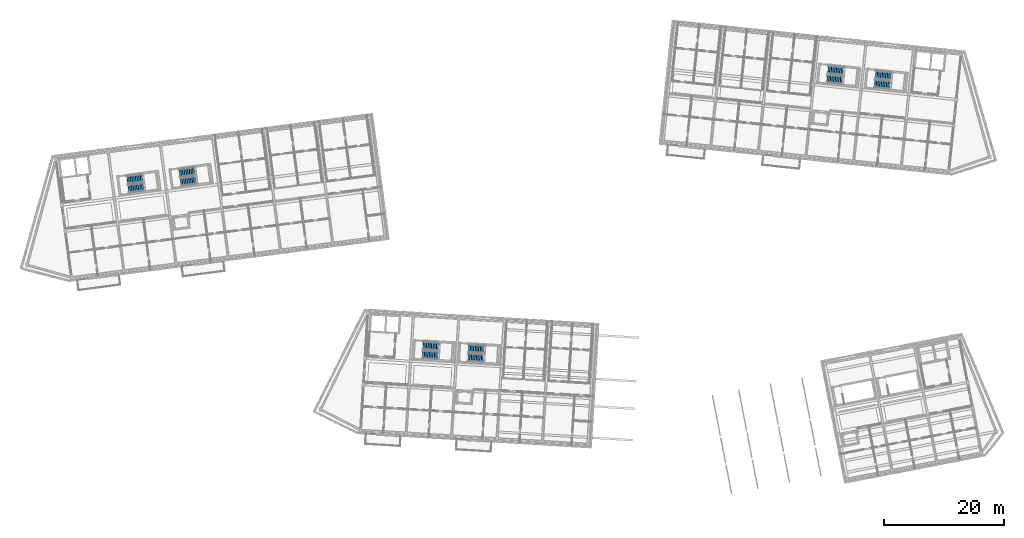
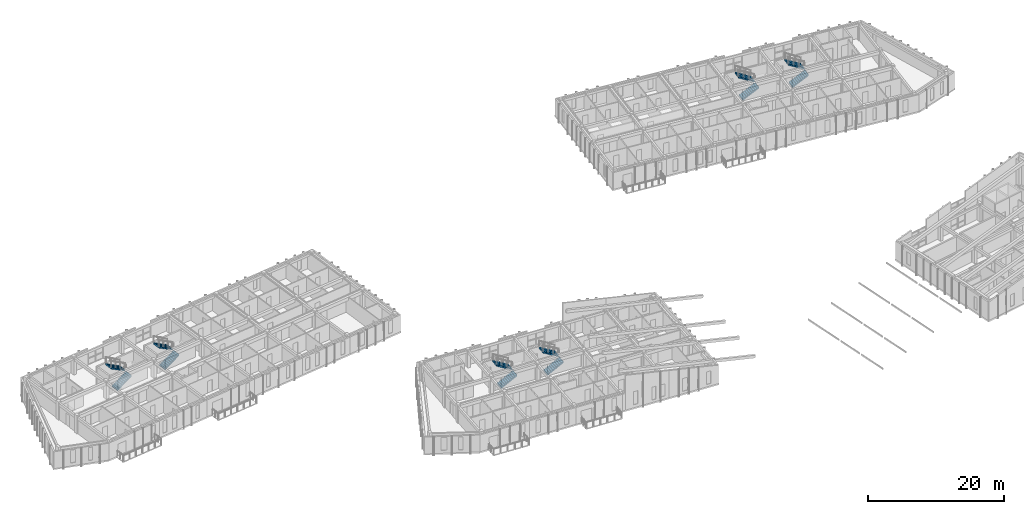
# One storey, part 34 of 56: 12 stair flights, 6 elements without a shape of their own.
"""IFC4 building model written with IfcOpenShell, lengths in metres."""

from ifc_helpers import new_model, si_unit, direction, frame, origin, place, context, subcontext, project, spatial, polyline, outline, extrude, material, type_object, element, aggregate, save


model = new_model("IFC4")

# Units and contexts
model_context = context("Model", 3, precision=1e-05, world=origin(), true_north=direction((0.0, 1.0)))
body_context = subcontext(model_context, "Body", "Model", "MODEL_VIEW")
ifc_project = project(units=[si_unit("LENGTHUNIT", "METRE"), si_unit("AREAUNIT", "SQUARE_METRE"), si_unit("VOLUMEUNIT", "CUBIC_METRE"), si_unit("PLANEANGLEUNIT", "RADIAN"), si_unit("MASSUNIT", "GRAM", prefix="KILO")], contexts=[model_context])

# Site, building, storey
site_placement = place(None, origin())
site = spatial("IfcSite", under=ifc_project, at=site_placement, CompositionType="ELEMENT")
building_placement = place(site_placement, origin())
building = spatial("IfcBuilding", under=site, at=building_placement, Name="Kestramere Prow Commons", CompositionType="ELEMENT")
storey_placement = place(building_placement, frame((0.0, 0.0, 27.89990234375)))
storey = spatial("IfcBuildingStorey", under=building, at=storey_placement, Name="L08", CompositionType="ELEMENT", Elevation=27.89990234375)

# Stair, stair flights
ifc_material = material(Name="Concrete C40/50", Category="concrete")
stair_type = type_object("IfcStairType", Name="ST-DOG-1350", PredefinedType="HALF_TURN_STAIR", material=ifc_material)
stair_1_placement = place(storey_placement, origin())
stair_1 = element("IfcStair", 1, at=stair_1_placement, inside=storey, type_object=stair_type, Name="L08 Block A Exit Stair 1", PredefinedType="HALF_TURN_STAIR")
stair_flight_type = type_object("IfcStairFlightType", Name="SFL-1350", PredefinedType="STRAIGHT", material=ifc_material)
stair_flight_1_placement = place(storey_placement, frame((20.70068359375, 86.79150390625, 0.0), z_axis=(0.0, 0.0, 1.0), x_axis=(0.991444861374, 0.13052619222, 0.0)))
stair_flight_1 = element("IfcStairFlight", 2, at=stair_flight_1_placement, type_object=stair_flight_type, Name="ST-A1 flight 1", NumberOfRisers=10, NumberOfTreads=9, PredefinedType="STRAIGHT", RiserHeight=0.1625, TreadLength=0.28, context=body_context, shape_type="SweptSolid", body=[
    extrude(outline(polyline([(-0.02490234375, 0.0), (0.0, 0.0), (0.0, 0.16259765625), (0.280029296875, 0.16259765625), (0.280029296875, 0.324951171875), (0.56005859375, 0.324951171875), (0.56005859375, 0.487548828125), (0.840087890625, 0.487548828125), (0.840087890625, 0.64990234375), (1.1201171875, 0.64990234375), (1.1201171875, 0.8125), (1.39990234375, 0.8125), (1.39990234375, 0.97509765625), (1.679931640625, 0.97509765625), (1.679931640625, 1.137451171875), (1.9599609375, 1.137451171875), (1.9599609375, 1.300048828125), (2.239990234375, 1.300048828125), (2.239990234375, 1.46240234375), (2.52001953125, 1.46240234375), (2.52001953125, 1.625), (2.544921875, 1.625), (2.544921875, 1.2890625), (0.0, -0.14990234375), (-0.02490234375, -0.14990234375), (-0.02490234375, 0.0)])), frame((0.0, 0.675048828125, 0.0), z_axis=(0.0, -1.0, 0.0), x_axis=(1.0, 0.0, 0.0)), (0.0, 0.0, 1.0), 1.35009765625),
])
stair_flight_2_placement = place(storey_placement, frame((23.003173828125, 88.607666015625, 1.625), z_axis=(0.0, 0.0, 1.0), x_axis=(-0.991444861374, -0.13052619222, 0.0)))
stair_flight_2 = element("IfcStairFlight", 3, at=stair_flight_2_placement, type_object=stair_flight_type, Name="ST-A1 flight 2", NumberOfRisers=10, NumberOfTreads=9, PredefinedType="STRAIGHT", RiserHeight=0.1625, TreadLength=0.28, context=body_context, shape_type="SweptSolid", body=[
    extrude(outline(polyline([(-0.02490234375, 0.0), (0.0, 0.0), (0.0, 0.16259765625), (0.280029296875, 0.16259765625), (0.280029296875, 0.324951171875), (0.56005859375, 0.324951171875), (0.56005859375, 0.487548828125), (0.840087890625, 0.487548828125), (0.840087890625, 0.64990234375), (1.1201171875, 0.64990234375), (1.1201171875, 0.8125), (1.39990234375, 0.8125), (1.39990234375, 0.97509765625), (1.679931640625, 0.97509765625), (1.679931640625, 1.137451171875), (1.9599609375, 1.137451171875), (1.9599609375, 1.300048828125), (2.239990234375, 1.300048828125), (2.239990234375, 1.46240234375), (2.52001953125, 1.46240234375), (2.52001953125, 1.625), (2.544921875, 1.625), (2.544921875, 1.2890625), (0.0, -0.14990234375), (-0.02490234375, -0.14990234375), (-0.02490234375, 0.0)])), frame((0.0, 0.675048828125, 0.0), z_axis=(0.0, -1.0, 0.0), x_axis=(1.0, 0.0, 0.0)), (0.0, 0.0, 1.0), 1.35009765625),
])
aggregate(stair_1, [stair_flight_1, stair_flight_2])

stair_2_placement = place(storey_placement, origin())
stair_2 = element("IfcStair", 4, at=stair_2_placement, inside=storey, type_object=stair_type, Name="L08 Block A Exit Stair 2", PredefinedType="HALF_TURN_STAIR")
stair_flight_3_placement = place(storey_placement, frame((29.42529296875, 87.940185546875, 0.0), z_axis=(0.0, 0.0, 1.0), x_axis=(0.991444861374, 0.13052619222, 0.0)))
stair_flight_3 = element("IfcStairFlight", 5, at=stair_flight_3_placement, type_object=stair_flight_type, Name="ST-A2 flight 1", NumberOfRisers=10, NumberOfTreads=9, PredefinedType="STRAIGHT", RiserHeight=0.1625, TreadLength=0.28, context=body_context, shape_type="SweptSolid", body=[
    extrude(outline(polyline([(-0.02490234375, 0.0), (0.0, 0.0), (0.0, 0.16259765625), (0.280029296875, 0.16259765625), (0.280029296875, 0.324951171875), (0.56005859375, 0.324951171875), (0.56005859375, 0.487548828125), (0.840087890625, 0.487548828125), (0.840087890625, 0.64990234375), (1.1201171875, 0.64990234375), (1.1201171875, 0.8125), (1.39990234375, 0.8125), (1.39990234375, 0.97509765625), (1.679931640625, 0.97509765625), (1.679931640625, 1.137451171875), (1.9599609375, 1.137451171875), (1.9599609375, 1.300048828125), (2.239990234375, 1.300048828125), (2.239990234375, 1.46240234375), (2.52001953125, 1.46240234375), (2.52001953125, 1.625), (2.544921875, 1.625), (2.544921875, 1.2890625), (0.0, -0.14990234375), (-0.02490234375, -0.14990234375), (-0.02490234375, 0.0)])), frame((0.0, 0.675048828125, 0.0), z_axis=(0.0, -1.0, 0.0), x_axis=(1.0, 0.0, 0.0)), (0.0, 0.0, 1.0), 1.35009765625),
])
stair_flight_4_placement = place(storey_placement, frame((31.72802734375, 89.75634765625, 1.625), z_axis=(0.0, 0.0, 1.0), x_axis=(-0.991444861374, -0.13052619222, 0.0)))
stair_flight_4 = element("IfcStairFlight", 6, at=stair_flight_4_placement, type_object=stair_flight_type, Name="ST-A2 flight 2", NumberOfRisers=10, NumberOfTreads=9, PredefinedType="STRAIGHT", RiserHeight=0.1625, TreadLength=0.28, context=body_context, shape_type="SweptSolid", body=[
    extrude(outline(polyline([(-0.02490234375, 0.0), (0.0, 0.0), (0.0, 0.16259765625), (0.280029296875, 0.16259765625), (0.280029296875, 0.324951171875), (0.56005859375, 0.324951171875), (0.56005859375, 0.487548828125), (0.840087890625, 0.487548828125), (0.840087890625, 0.64990234375), (1.1201171875, 0.64990234375), (1.1201171875, 0.8125), (1.39990234375, 0.8125), (1.39990234375, 0.97509765625), (1.679931640625, 0.97509765625), (1.679931640625, 1.137451171875), (1.9599609375, 1.137451171875), (1.9599609375, 1.300048828125), (2.239990234375, 1.300048828125), (2.239990234375, 1.46240234375), (2.52001953125, 1.46240234375), (2.52001953125, 1.625), (2.544921875, 1.625), (2.544921875, 1.2890625), (0.0, -0.14990234375), (-0.02490234375, -0.14990234375), (-0.02490234375, 0.0)])), frame((0.0, 0.675048828125, 0.0), z_axis=(0.0, -1.0, 0.0), x_axis=(1.0, 0.0, 0.0)), (0.0, 0.0, 1.0), 1.35009765625),
])
aggregate(stair_2, [stair_flight_3, stair_flight_4])

stair_3_placement = place(storey_placement, origin())
stair_3 = element("IfcStair", 7, at=stair_3_placement, inside=storey, type_object=stair_type, Name="L08 Block B Exit Stair 1", PredefinedType="HALF_TURN_STAIR")
stair_flight_5_placement = place(storey_placement, frame((137.38916015625, 105.21923828125, 0.0), z_axis=(0.0, 0.0, 1.0), x_axis=(0.994521895368, -0.104528463268, 0.0)))
stair_flight_5 = element("IfcStairFlight", 8, at=stair_flight_5_placement, type_object=stair_flight_type, Name="ST-B1 flight 1", NumberOfRisers=10, NumberOfTreads=9, PredefinedType="STRAIGHT", RiserHeight=0.1625, TreadLength=0.28, context=body_context, shape_type="SweptSolid", body=[
    extrude(outline(polyline([(-0.02490234375, 0.0), (0.0, 0.0), (0.0, 0.16259765625), (0.280029296875, 0.16259765625), (0.280029296875, 0.324951171875), (0.56005859375, 0.324951171875), (0.56005859375, 0.487548828125), (0.840087890625, 0.487548828125), (0.840087890625, 0.64990234375), (1.1201171875, 0.64990234375), (1.1201171875, 0.8125), (1.39990234375, 0.8125), (1.39990234375, 0.97509765625), (1.679931640625, 0.97509765625), (1.679931640625, 1.137451171875), (1.9599609375, 1.137451171875), (1.9599609375, 1.300048828125), (2.239990234375, 1.300048828125), (2.239990234375, 1.46240234375), (2.52001953125, 1.46240234375), (2.52001953125, 1.625), (2.544921875, 1.625), (2.544921875, 1.2890625), (0.0, -0.14990234375), (-0.02490234375, -0.14990234375), (-0.02490234375, 0.0)])), frame((0.0, 0.675048828125, 0.0), z_axis=(0.0, -1.0, 0.0), x_axis=(1.0, 0.0, 0.0)), (0.0, 0.0, 1.0), 1.35009765625),
])
stair_flight_6_placement = place(storey_placement, frame((140.052001953125, 106.447509765625, 1.625), z_axis=(0.0, 0.0, 1.0), x_axis=(-0.994521895368, 0.104528463268, 0.0)))
stair_flight_6 = element("IfcStairFlight", 9, at=stair_flight_6_placement, type_object=stair_flight_type, Name="ST-B1 flight 2", NumberOfRisers=10, NumberOfTreads=9, PredefinedType="STRAIGHT", RiserHeight=0.1625, TreadLength=0.28, context=body_context, shape_type="SweptSolid", body=[
    extrude(outline(polyline([(-0.02490234375, 0.0), (0.0, 0.0), (0.0, 0.16259765625), (0.280029296875, 0.16259765625), (0.280029296875, 0.324951171875), (0.56005859375, 0.324951171875), (0.56005859375, 0.487548828125), (0.840087890625, 0.487548828125), (0.840087890625, 0.64990234375), (1.1201171875, 0.64990234375), (1.1201171875, 0.8125), (1.39990234375, 0.8125), (1.39990234375, 0.97509765625), (1.679931640625, 0.97509765625), (1.679931640625, 1.137451171875), (1.9599609375, 1.137451171875), (1.9599609375, 1.300048828125), (2.239990234375, 1.300048828125), (2.239990234375, 1.46240234375), (2.52001953125, 1.46240234375), (2.52001953125, 1.625), (2.544921875, 1.625), (2.544921875, 1.2890625), (0.0, -0.14990234375), (-0.02490234375, -0.14990234375), (-0.02490234375, 0.0)])), frame((0.0, 0.675048828125, 0.0), z_axis=(0.0, -1.0, 0.0), x_axis=(1.0, 0.0, 0.0)), (0.0, 0.0, 1.0), 1.35009765625),
])
aggregate(stair_3, [stair_flight_5, stair_flight_6])

stair_4_placement = place(storey_placement, origin())
stair_4 = element("IfcStair", 10, at=stair_4_placement, inside=storey, type_object=stair_type, Name="L08 Block B Exit Stair 2", PredefinedType="HALF_TURN_STAIR")
stair_flight_7_placement = place(storey_placement, frame((145.34521484375, 104.3828125, 0.0), z_axis=(0.0, 0.0, 1.0), x_axis=(0.994521895368, -0.104528463268, 0.0)))
stair_flight_7 = element("IfcStairFlight", 11, at=stair_flight_7_placement, type_object=stair_flight_type, Name="ST-B2 flight 1", NumberOfRisers=10, NumberOfTreads=9, PredefinedType="STRAIGHT", RiserHeight=0.1625, TreadLength=0.28, context=body_context, shape_type="SweptSolid", body=[
    extrude(outline(polyline([(-0.02490234375, 0.0), (0.0, 0.0), (0.0, 0.16259765625), (0.280029296875, 0.16259765625), (0.280029296875, 0.324951171875), (0.56005859375, 0.324951171875), (0.56005859375, 0.487548828125), (0.840087890625, 0.487548828125), (0.840087890625, 0.64990234375), (1.1201171875, 0.64990234375), (1.1201171875, 0.8125), (1.39990234375, 0.8125), (1.39990234375, 0.97509765625), (1.679931640625, 0.97509765625), (1.679931640625, 1.137451171875), (1.9599609375, 1.137451171875), (1.9599609375, 1.300048828125), (2.239990234375, 1.300048828125), (2.239990234375, 1.46240234375), (2.52001953125, 1.46240234375), (2.52001953125, 1.625), (2.544921875, 1.625), (2.544921875, 1.2890625), (0.0, -0.14990234375), (-0.02490234375, -0.14990234375), (-0.02490234375, 0.0)])), frame((0.0, 0.675048828125, 0.0), z_axis=(0.0, -1.0, 0.0), x_axis=(1.0, 0.0, 0.0)), (0.0, 0.0, 1.0), 1.35009765625),
])
stair_flight_8_placement = place(storey_placement, frame((148.00830078125, 105.611328125, 1.625), z_axis=(0.0, 0.0, 1.0), x_axis=(-0.994521895368, 0.104528463268, 0.0)))
stair_flight_8 = element("IfcStairFlight", 12, at=stair_flight_8_placement, type_object=stair_flight_type, Name="ST-B2 flight 2", NumberOfRisers=10, NumberOfTreads=9, PredefinedType="STRAIGHT", RiserHeight=0.1625, TreadLength=0.28, context=body_context, shape_type="SweptSolid", body=[
    extrude(outline(polyline([(-0.02490234375, 0.0), (0.0, 0.0), (0.0, 0.16259765625), (0.280029296875, 0.16259765625), (0.280029296875, 0.324951171875), (0.56005859375, 0.324951171875), (0.56005859375, 0.487548828125), (0.840087890625, 0.487548828125), (0.840087890625, 0.64990234375), (1.1201171875, 0.64990234375), (1.1201171875, 0.8125), (1.39990234375, 0.8125), (1.39990234375, 0.97509765625), (1.679931640625, 0.97509765625), (1.679931640625, 1.137451171875), (1.9599609375, 1.137451171875), (1.9599609375, 1.300048828125), (2.239990234375, 1.300048828125), (2.239990234375, 1.46240234375), (2.52001953125, 1.46240234375), (2.52001953125, 1.625), (2.544921875, 1.625), (2.544921875, 1.2890625), (0.0, -0.14990234375), (-0.02490234375, -0.14990234375), (-0.02490234375, 0.0)])), frame((0.0, 0.675048828125, 0.0), z_axis=(0.0, -1.0, 0.0), x_axis=(1.0, 0.0, 0.0)), (0.0, 0.0, 1.0), 1.35009765625),
])
aggregate(stair_4, [stair_flight_7, stair_flight_8])

stair_5_placement = place(storey_placement, origin())
stair_5 = element("IfcStair", 13, at=stair_5_placement, inside=storey, type_object=stair_type, Name="L08 Block C Exit Stair 1", PredefinedType="HALF_TURN_STAIR")
stair_flight_9_placement = place(storey_placement, frame((69.839599609375, 59.117431640625, 0.0), z_axis=(0.0, 0.0, 1.0), x_axis=(0.998134798422, -0.061048539535, 0.0)))
stair_flight_9 = element("IfcStairFlight", 14, at=stair_flight_9_placement, type_object=stair_flight_type, Name="ST-C1 flight 1", NumberOfRisers=10, NumberOfTreads=9, PredefinedType="STRAIGHT", RiserHeight=0.1625, TreadLength=0.28, context=body_context, shape_type="SweptSolid", body=[
    extrude(outline(polyline([(-0.02490234375, 0.0), (0.0, 0.0), (0.0, 0.16259765625), (0.280029296875, 0.16259765625), (0.280029296875, 0.324951171875), (0.56005859375, 0.324951171875), (0.56005859375, 0.487548828125), (0.840087890625, 0.487548828125), (0.840087890625, 0.64990234375), (1.1201171875, 0.64990234375), (1.1201171875, 0.8125), (1.39990234375, 0.8125), (1.39990234375, 0.97509765625), (1.679931640625, 0.97509765625), (1.679931640625, 1.137451171875), (1.9599609375, 1.137451171875), (1.9599609375, 1.300048828125), (2.239990234375, 1.300048828125), (2.239990234375, 1.46240234375), (2.52001953125, 1.46240234375), (2.52001953125, 1.625), (2.544921875, 1.625), (2.544921875, 1.2890625), (0.0, -0.14990234375), (-0.02490234375, -0.14990234375), (-0.02490234375, 0.0)])), frame((0.0, 0.675048828125, 0.0), z_axis=(0.0, -1.0, 0.0), x_axis=(1.0, 0.0, 0.0)), (0.0, 0.0, 1.0), 1.35009765625),
])
stair_flight_10_placement = place(storey_placement, frame((72.446533203125, 60.460693359375, 1.625), z_axis=(0.0, 0.0, 1.0), x_axis=(-0.998134798422, 0.061048539535, 0.0)))
stair_flight_10 = element("IfcStairFlight", 15, at=stair_flight_10_placement, type_object=stair_flight_type, Name="ST-C1 flight 2", NumberOfRisers=10, NumberOfTreads=9, PredefinedType="STRAIGHT", RiserHeight=0.1625, TreadLength=0.28, context=body_context, shape_type="SweptSolid", body=[
    extrude(outline(polyline([(-0.02490234375, 0.0), (0.0, 0.0), (0.0, 0.16259765625), (0.280029296875, 0.16259765625), (0.280029296875, 0.324951171875), (0.56005859375, 0.324951171875), (0.56005859375, 0.487548828125), (0.840087890625, 0.487548828125), (0.840087890625, 0.64990234375), (1.1201171875, 0.64990234375), (1.1201171875, 0.8125), (1.39990234375, 0.8125), (1.39990234375, 0.97509765625), (1.679931640625, 0.97509765625), (1.679931640625, 1.137451171875), (1.9599609375, 1.137451171875), (1.9599609375, 1.300048828125), (2.239990234375, 1.300048828125), (2.239990234375, 1.46240234375), (2.52001953125, 1.46240234375), (2.52001953125, 1.625), (2.544921875, 1.625), (2.544921875, 1.2890625), (0.0, -0.14990234375), (-0.02490234375, -0.14990234375), (-0.02490234375, 0.0)])), frame((0.0, 0.675048828125, 0.0), z_axis=(0.0, -1.0, 0.0), x_axis=(1.0, 0.0, 0.0)), (0.0, 0.0, 1.0), 1.35009765625),
])
aggregate(stair_5, [stair_flight_9, stair_flight_10])

stair_6_placement = place(storey_placement, origin())
stair_6 = element("IfcStair", 16, at=stair_6_placement, inside=storey, type_object=stair_type, Name="L08 Block C Exit Stair 2", PredefinedType="HALF_TURN_STAIR")
stair_flight_11_placement = place(storey_placement, frame((77.42529296875, 58.6533203125, 0.0), z_axis=(0.0, 0.0, 1.0), x_axis=(0.998134798422, -0.061048539535, 0.0)))
stair_flight_11 = element("IfcStairFlight", 17, at=stair_flight_11_placement, type_object=stair_flight_type, Name="ST-C2 flight 1", NumberOfRisers=10, NumberOfTreads=9, PredefinedType="STRAIGHT", RiserHeight=0.1625, TreadLength=0.28, context=body_context, shape_type="SweptSolid", body=[
    extrude(outline(polyline([(-0.02490234375, 0.0), (0.0, 0.0), (0.0, 0.16259765625), (0.280029296875, 0.16259765625), (0.280029296875, 0.324951171875), (0.56005859375, 0.324951171875), (0.56005859375, 0.487548828125), (0.840087890625, 0.487548828125), (0.840087890625, 0.64990234375), (1.1201171875, 0.64990234375), (1.1201171875, 0.8125), (1.39990234375, 0.8125), (1.39990234375, 0.97509765625), (1.679931640625, 0.97509765625), (1.679931640625, 1.137451171875), (1.9599609375, 1.137451171875), (1.9599609375, 1.300048828125), (2.239990234375, 1.300048828125), (2.239990234375, 1.46240234375), (2.52001953125, 1.46240234375), (2.52001953125, 1.625), (2.544921875, 1.625), (2.544921875, 1.2890625), (0.0, -0.14990234375), (-0.02490234375, -0.14990234375), (-0.02490234375, 0.0)])), frame((0.0, 0.675048828125, 0.0), z_axis=(0.0, -1.0, 0.0), x_axis=(1.0, 0.0, 0.0)), (0.0, 0.0, 1.0), 1.35009765625),
])
stair_flight_12_placement = place(storey_placement, frame((80.0322265625, 59.996826171875, 1.625), z_axis=(0.0, 0.0, 1.0), x_axis=(-0.998134798422, 0.061048539535, 0.0)))
stair_flight_12 = element("IfcStairFlight", 18, at=stair_flight_12_placement, type_object=stair_flight_type, Name="ST-C2 flight 2", NumberOfRisers=10, NumberOfTreads=9, PredefinedType="STRAIGHT", RiserHeight=0.1625, TreadLength=0.28, context=body_context, shape_type="SweptSolid", body=[
    extrude(outline(polyline([(-0.02490234375, 0.0), (0.0, 0.0), (0.0, 0.16259765625), (0.280029296875, 0.16259765625), (0.280029296875, 0.324951171875), (0.56005859375, 0.324951171875), (0.56005859375, 0.487548828125), (0.840087890625, 0.487548828125), (0.840087890625, 0.64990234375), (1.1201171875, 0.64990234375), (1.1201171875, 0.8125), (1.39990234375, 0.8125), (1.39990234375, 0.97509765625), (1.679931640625, 0.97509765625), (1.679931640625, 1.137451171875), (1.9599609375, 1.137451171875), (1.9599609375, 1.300048828125), (2.239990234375, 1.300048828125), (2.239990234375, 1.46240234375), (2.52001953125, 1.46240234375), (2.52001953125, 1.625), (2.544921875, 1.625), (2.544921875, 1.2890625), (0.0, -0.14990234375), (-0.02490234375, -0.14990234375), (-0.02490234375, 0.0)])), frame((0.0, 0.675048828125, 0.0), z_axis=(0.0, -1.0, 0.0), x_axis=(1.0, 0.0, 0.0)), (0.0, 0.0, 1.0), 1.35009765625),
])
aggregate(stair_6, [stair_flight_11, stair_flight_12])

save(model, "model.ifc")
